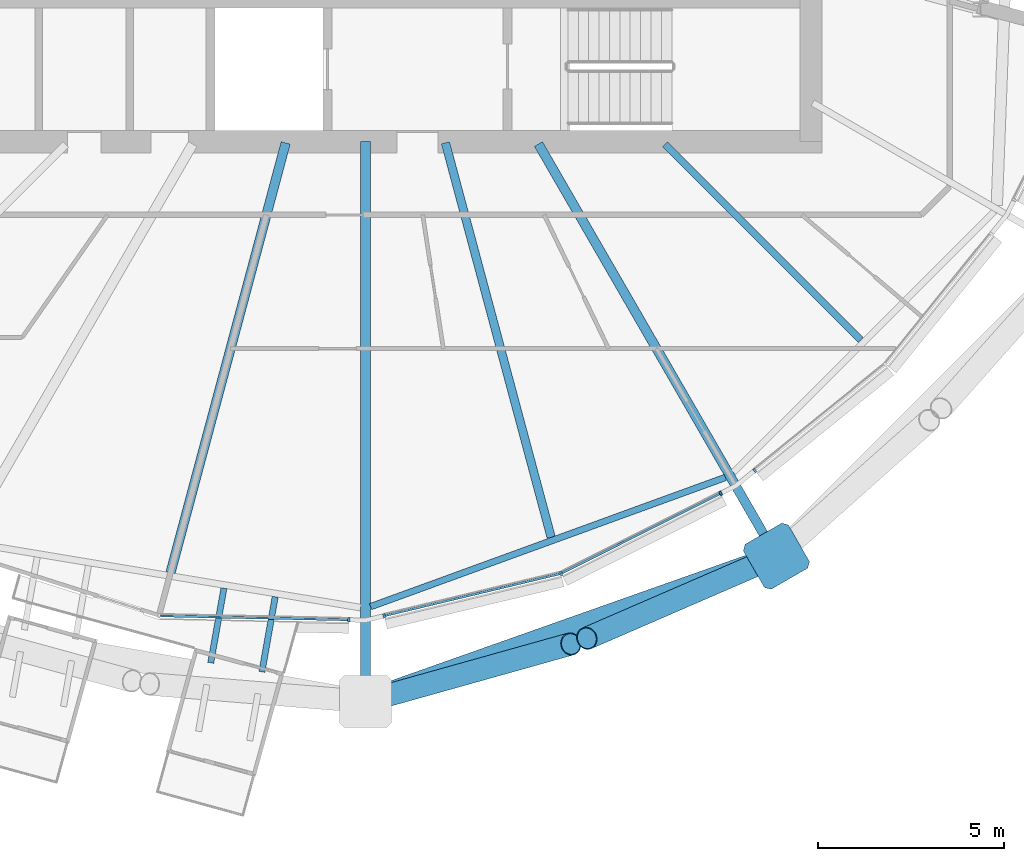
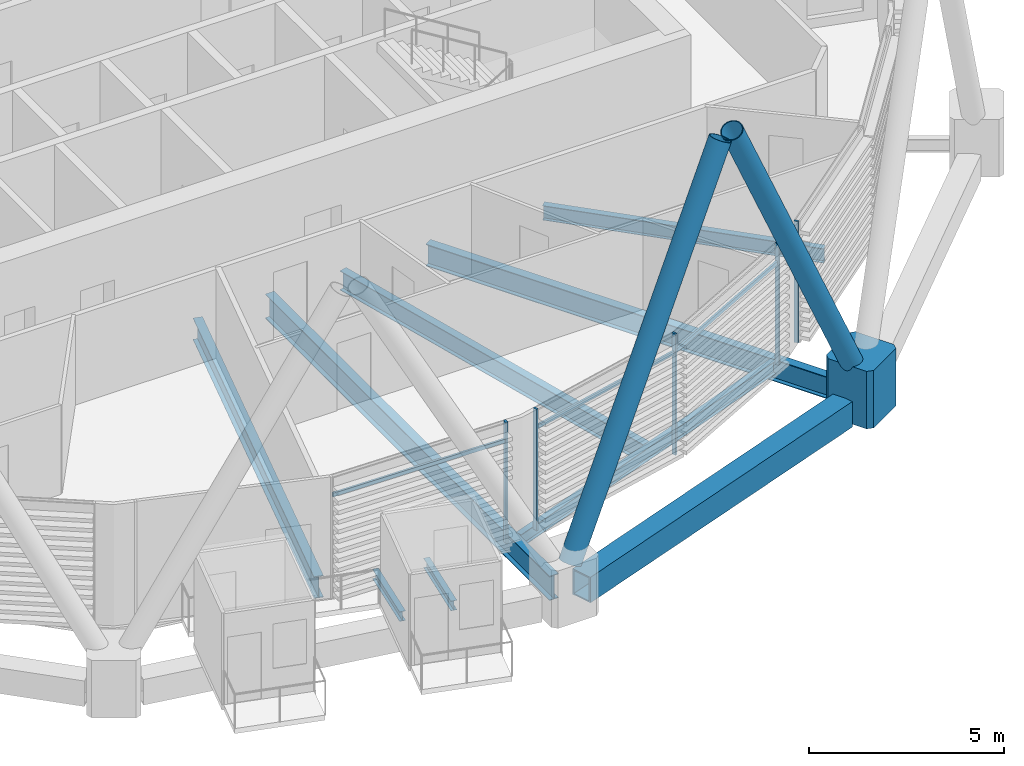
# One storey, part 14 of 37: 11 members, 9 beams, 1 element without a shape of its own.
"""IFC4 building model written with IfcOpenShell, lengths in metres."""

from ifc_helpers import new_model, si_unit, direction, frame, origin, origin_2d, place, context, subcontext, project, spatial, polyline, rectangle, hollow_rectangle, hollow_circle, i_section, outline, extrude, material, material_profile, profile_set, type_object, element, aggregate, save


model = new_model("IFC4")

# Units and contexts
model_context = context("Model", 3, precision=1e-05, world=origin(), true_north=direction((0.0, 1.0)))
body_context = subcontext(model_context, "Body", "Model", "MODEL_VIEW")
ifc_project = project(units=[si_unit("LENGTHUNIT", "METRE"), si_unit("AREAUNIT", "SQUARE_METRE"), si_unit("VOLUMEUNIT", "CUBIC_METRE"), si_unit("PLANEANGLEUNIT", "RADIAN"), si_unit("MASSUNIT", "GRAM", prefix="KILO")], contexts=[model_context])

# Site, building, storey
site_placement = place(None, origin())
site = spatial("IfcSite", under=ifc_project, at=site_placement, CompositionType="ELEMENT")
building_placement = place(site_placement, origin())
building = spatial("IfcBuilding", under=site, at=building_placement, Name="Rimbun Link Towers", CompositionType="ELEMENT")
storey_placement = place(building_placement, frame((0.0, 0.0, 170.300048828125)))
storey = spatial("IfcBuildingStorey", under=building, at=storey_placement, Name="L41", CompositionType="ELEMENT", Elevation=170.300048828125)

# Curtain wall, members
ifc_material_1 = material(Name="Aluminium 6063-T6 and low-iron glass", Category="aluminium")
curtain_wall_type = type_object("IfcCurtainWallType", Name="CW1-Z3 unitised vision wall (zone 3)", PredefinedType="NOTDEFINED", material=ifc_material_1)
curtain_wall_placement = place(storey_placement, origin())
curtain_wall = element("IfcCurtainWall", 1, at=curtain_wall_placement, inside=storey, type_object=curtain_wall_type, Name="CW1 L41 T2", PredefinedType="NOTDEFINED")
ifc_material_2 = material(Name="Aluminium 6063-T6", Category="aluminium")
ifc_material_profile_1 = material_profile(ifc_material_2, rectangle(XDim=0.1201171875, YDim=0.06005859375, at=origin_2d()), Name="MULLION 60X120")
ifc_profile_set_1 = profile_set([ifc_material_profile_1], Name="Aluminium 6063-T6")
member_type_1 = type_object("IfcMemberType", Name="CW1 mullion 60X120", PredefinedType="MULLION", material=ifc_profile_set_1)
member_1_placement = place(storey_placement, frame((31.298828125, -20.883544921875, 0.0), z_axis=(0.0, 0.0, 1.0), x_axis=(-0.021054979477, -0.999778319348, 0.0)))
member_1 = element("IfcMember", 2, at=member_1_placement, type_object=member_type_1, Name="CW1 mullion", PredefinedType="MULLION", context=body_context, shape_type="SweptSolid", body=[
    extrude(rectangle(XDim=0.1201171875, YDim=0.06005859375, at=origin_2d()), origin(), (0.0, 0.0, 1.0), 3.800048828125),
])
member_2_placement = place(storey_placement, frame((37.0166015625, -19.634765625, 0.0), z_axis=(0.0, 0.0, 1.0), x_axis=(0.342962048977, -0.939349260372, 0.0)))
member_2 = element("IfcMember", 3, at=member_2_placement, type_object=member_type_1, Name="CW1 mullion", PredefinedType="MULLION", context=body_context, shape_type="SweptSolid", body=[
    extrude(rectangle(XDim=0.1201171875, YDim=0.06005859375, at=origin_2d()), origin(), (0.0, 0.0, 1.0), 3.800048828125),
])
member_3_placement = place(storey_placement, frame((32.250244140625, -20.775146484375, 0.0), z_axis=(0.0, 0.0, 1.0), x_axis=(0.232594562001, -0.972573786264, 0.0)))
member_3 = element("IfcMember", 4, at=member_3_placement, type_object=member_type_1, Name="CW1 mullion", PredefinedType="MULLION", context=body_context, shape_type="SweptSolid", body=[
    extrude(rectangle(XDim=0.1201171875, YDim=0.06005859375, at=origin_2d()), origin(), (0.0, 0.0, 1.0), 3.800048828125),
])
member_4_placement = place(storey_placement, frame((41.31689453125, -17.475830078125, 0.0), z_axis=(0.0, 0.0, 1.0), x_axis=(0.44877333613, -0.893645619235, 0.0)))
member_4 = element("IfcMember", 5, at=member_4_placement, type_object=member_type_1, Name="CW1 mullion", PredefinedType="MULLION", context=body_context, shape_type="SweptSolid", body=[
    extrude(rectangle(XDim=0.1201171875, YDim=0.06005859375, at=origin_2d()), origin(), (0.0, 0.0, 1.0), 3.800048828125),
])
member_5_placement = place(storey_placement, frame((42.235107421875, -16.85791015625, 0.0), z_axis=(0.0, 0.0, 1.0), x_axis=(0.629157646962, -0.777277720811, 0.0)))
member_5 = element("IfcMember", 6, at=member_5_placement, type_object=member_type_1, Name="CW1 mullion", PredefinedType="MULLION", context=body_context, shape_type="SweptSolid", body=[
    extrude(rectangle(XDim=0.1201171875, YDim=0.06005859375, at=origin_2d()), origin(), (0.0, 0.0, 1.0), 3.800048828125),
])
ifc_material_3 = material(Name="Aluminium 6063-T6", Category="aluminium")
ifc_material_profile_2 = material_profile(ifc_material_3, rectangle(XDim=0.06005859375, YDim=0.1201171875, at=origin_2d()), Name="TRANSOM 60X120")
ifc_profile_set_2 = profile_set([ifc_material_profile_2], Name="Aluminium 6063-T6")
member_type_2 = type_object("IfcMemberType", Name="CW1 transom 60X120", PredefinedType="USERDEFINED", material=ifc_profile_set_2)
member_6_placement = place(storey_placement, frame((31.268798828125, -20.880859375, 3.199951171875), z_axis=(-0.999779174305, 0.021014343358, 0.0), x_axis=(-0.021014343358, -0.999779174305, 0.0)))
member_6 = element("IfcMember", 7, at=member_6_placement, type_object=member_type_2, Name="CW1 transom", ObjectType="TRANSOM", PredefinedType="USERDEFINED", context=body_context, shape_type="SweptSolid", body=[
    extrude(rectangle(XDim=0.06005859375, YDim=0.1201171875, at=origin_2d()), origin(), (0.0, 0.0, 1.0), 5.042236328125),
])
member_7_placement = place(storey_placement, frame((36.980224609375, -19.641845703125, 3.199951171875), z_axis=(-0.972575414488, -0.23258775362, 0.0), x_axis=(0.23258775362, -0.972575414488, 0.0)))
member_7 = element("IfcMember", 8, at=member_7_placement, type_object=member_type_2, Name="CW1 transom", ObjectType="TRANSOM", PredefinedType="USERDEFINED", context=body_context, shape_type="SweptSolid", body=[
    extrude(rectangle(XDim=0.06005859375, YDim=0.1201171875, at=origin_2d()), origin(), (0.0, 0.0, 1.0), 4.833740234375),
])
member_8_placement = place(storey_placement, frame((41.2890625, -17.487548828125, 3.199951171875), z_axis=(-0.893643730641, -0.448777096882, 0.0), x_axis=(0.448777096882, -0.893643730641, 0.0)))
member_8 = element("IfcMember", 9, at=member_8_placement, type_object=member_type_2, Name="CW1 transom", ObjectType="TRANSOM", PredefinedType="USERDEFINED", context=body_context, shape_type="SweptSolid", body=[
    extrude(rectangle(XDim=0.06005859375, YDim=0.1201171875, at=origin_2d()), origin(), (0.0, 0.0, 1.0), 4.744873046875),
])
aggregate(curtain_wall, [member_1, member_2, member_3, member_4, member_5, member_6, member_7, member_8])

# Beams
ifc_material_4 = material(Name="Steel S355J2", Category="steel")
ifc_material_profile_3 = material_profile(ifc_material_4, i_section(OverallWidth=0.1650390625, OverallDepth=0.303466796875, WebThickness=0.006103515625, FlangeThickness=0.01025390625, at=origin_2d()), Name="UB 305x165x40")
ifc_profile_set_3 = profile_set([ifc_material_profile_3], Name="Steel S355J2")
beam_type_1 = type_object("IfcBeamType", Name="Capsule bracket beam UB 305x165x40", PredefinedType="BEAM", material=ifc_profile_set_3)
beam_1_placement = place(storey_placement, frame((29.315185546875, -20.260986328125, -0.311767578125), z_axis=(-0.174334431279, -0.984686501416, 0.0), x_axis=(0.984686501416, -0.174334431279, 0.0)))
element("IfcBeam", 10, at=beam_1_placement, inside=storey, type_object=beam_type_1, Name="Capsule D412.01 bracket beam 1", PredefinedType="BEAM", context=body_context, shape_type="SweptSolid", body=[
    extrude(i_section(OverallWidth=0.1650390625, OverallDepth=0.303466796875, WebThickness=0.006103515625, FlangeThickness=0.01025390625, at=origin_2d()), origin(), (0.0, 0.0, 1.0), 2.054443359375),
])
beam_2_placement = place(storey_placement, frame((27.93408203125, -20.03125, -0.311767578125), z_axis=(-0.17436560411, -0.984680981894, 0.0), x_axis=(0.984680981894, -0.17436560411, 0.0)))
element("IfcBeam", 11, at=beam_2_placement, inside=storey, type_object=beam_type_1, Name="Capsule D412.01 bracket beam 3", PredefinedType="BEAM", context=body_context, shape_type="SweptSolid", body=[
    extrude(i_section(OverallWidth=0.1650390625, OverallDepth=0.303466796875, WebThickness=0.006103515625, FlangeThickness=0.01025390625, at=origin_2d()), origin(), (0.0, 0.0, 1.0), 2.0400390625),
])

# Members
ifc_material_5 = material(Name="Steel S355J2H", Category="steel")
ifc_material_profile_4 = material_profile(ifc_material_5, hollow_circle(Radius=0.3046875, WallThickness=0.02490234375, at=origin_2d()), Name="Diagrid diagonal CHS 610x25")
ifc_profile_set_4 = profile_set([ifc_material_profile_4], Name="Steel S355J2H")
member_type_3 = type_object("IfcMemberType", Name="Diagrid diagonal CHS 610x25", PredefinedType="BRACE", material=ifc_profile_set_4)
member_9_placement = place(storey_placement, frame((31.973388671875, -23.0205078125, 0.44287109375), z_axis=(0.446994714804, 0.125271225171, 0.885721652147), x_axis=(-0.269855052953, 0.962900955652, 0.0)))
element("IfcMember", 12, at=member_9_placement, inside=storey, type_object=member_type_3, Name="Diagrid diagonal T2 L41-L44 15b", PredefinedType="BRACE", context=body_context, shape_type="SweptSolid", body=[
    extrude(hollow_circle(Radius=0.3046875, WallThickness=0.02490234375, at=origin_2d()), origin(), (0.0, 0.0, 1.0), 11.87060546875),
])
member_10_placement = place(storey_placement, frame((42.609375, -19.2587890625, 0.44580078125), z_axis=(-0.415596283238, -0.180042010262, 0.891551795411), x_axis=(0.397515027552, -0.917595664152, 0.0)))
element("IfcMember", 13, at=member_10_placement, inside=storey, type_object=member_type_3, Name="Diagrid diagonal T2 L41-L44 17a", PredefinedType="BRACE", context=body_context, shape_type="SweptSolid", body=[
    extrude(hollow_circle(Radius=0.3046875, WallThickness=0.02490234375, at=origin_2d()), origin(), (0.0, 0.0, 1.0), 11.78662109375),
])
ifc_material_6 = material(Name="Cast steel G20Mn5+QT, Rp0.2 300 MPa", Category="steel")
ifc_material_profile_5 = material_profile(ifc_material_6, outline(polyline([(0.699951171875, -0.570068359375), (0.699951171875, 0.570068359375), (0.570068359375, 0.699951171875), (-0.570068359375, 0.699951171875), (-0.699951171875, 0.570068359375), (-0.699951171875, -0.570068359375), (-0.570068359375, -0.699951171875), (0.570068359375, -0.699951171875), (0.699951171875, -0.570068359375)])), Name="NODE 1400x1400")
ifc_profile_set_5 = profile_set([ifc_material_profile_5], Name="Cast steel G20Mn5+QT, Rp0.2 300 MPa")
member_type_4 = type_object("IfcMemberType", Name="Diagrid node cast 1400", PredefinedType="USERDEFINED", material=ifc_profile_set_5)
member_11_placement = place(storey_placement, frame((42.817138671875, -19.168701171875, -0.900146484375), z_axis=(0.0, 0.0, 1.0), x_axis=(0.5, -0.866025403784, 0.0)))
element("IfcMember", 14, at=member_11_placement, inside=storey, type_object=member_type_4, Name="Diagrid node L41 17", ObjectType="Diagrid node", PredefinedType="USERDEFINED", context=body_context, shape_type="SweptSolid", body=[
    extrude(outline(polyline([(0.699951171875, -0.570068359375), (0.699951171875, 0.570068359375), (0.570068359375, 0.699951171875), (-0.570068359375, 0.699951171875), (-0.699951171875, 0.570068359375), (-0.699951171875, -0.570068359375), (-0.570068359375, -0.699951171875), (0.570068359375, -0.699951171875), (0.699951171875, -0.570068359375)])), origin(), (0.0, 0.0, 1.0), 1.800048828125),
])

# Beams
ifc_material_7 = material(Name="Steel S355J2", Category="steel")
ifc_material_profile_6 = material_profile(ifc_material_7, hollow_rectangle(XDim=0.60009765625, YDim=0.800048828125, WallThickness=0.0400390625, at=origin_2d()), Name="Exoskeleton ring girder BOX 600x800x40")
ifc_profile_set_6 = profile_set([ifc_material_profile_6], Name="Steel S355J2")
beam_type_2 = type_object("IfcBeamType", Name="Exoskeleton ring girder BOX 600x800x40", PredefinedType="BEAM", material=ifc_profile_set_6)
beam_3_placement = place(storey_placement, frame((32.409912109375, -22.849609375, -0.56005859375), z_axis=(0.942769103259, 0.333446274443, 0.0), x_axis=(-0.333446274443, 0.942769103259, 0.0)))
element("IfcBeam", 15, at=beam_3_placement, inside=storey, type_object=beam_type_2, Name="Exoskeleton ring girder L41 07", PredefinedType="BEAM", context=body_context, shape_type="SweptSolid", body=[
    extrude(hollow_rectangle(XDim=0.60009765625, YDim=0.800048828125, WallThickness=0.0400390625, at=origin_2d()), origin(), (0.0, 0.0, 1.0), 10.339111328125),
])
ifc_material_8 = material(Name="Steel S355J2", Category="steel")
ifc_material_profile_7 = material_profile(ifc_material_8, i_section(OverallWidth=0.177978515625, OverallDepth=0.406494140625, WebThickness=0.0078125, FlangeThickness=0.0126953125, at=origin_2d()), Name="UB 406x178x60")
ifc_profile_set_7 = profile_set([ifc_material_profile_7], Name="Steel S355J2")
beam_type_3 = type_object("IfcBeamType", Name="UB 406x178x60", PredefinedType="BEAM", material=ifc_profile_set_7)
beam_4_placement = place(storey_placement, frame((31.88427734375, -20.527099609375, -0.353271484375), z_axis=(0.939617435034, 0.342226643877, 0.0), x_axis=(-0.342226643877, 0.939617435034, 0.0)))
element("IfcBeam", 16, at=beam_4_placement, inside=storey, type_object=beam_type_3, Name="Edge beam T2 L41 15-17", PredefinedType="BEAM", context=body_context, shape_type="SweptSolid", body=[
    extrude(i_section(OverallWidth=0.177978515625, OverallDepth=0.406494140625, WebThickness=0.0078125, FlangeThickness=0.0126953125, at=origin_2d()), origin(), (0.0, 0.0, 1.0), 10.173583984375),
])
ifc_material_9 = material(Name="Steel S355J2", Category="steel")
ifc_material_profile_8 = material_profile(ifc_material_9, i_section(OverallWidth=0.18994140625, OverallDepth=0.453369140625, WebThickness=0.008544921875, FlangeThickness=0.0126953125, at=origin_2d()), Name="UB 457x191x67")
ifc_profile_set_8 = profile_set([ifc_material_profile_8], Name="Steel S355J2")
beam_type_4 = type_object("IfcBeamType", Name="UB 457x191x67", PredefinedType="BEAM", material=ifc_profile_set_8)
beam_5_placement = place(storey_placement, frame((39.81787109375, -8.06787109375, -0.376708984375), z_axis=(0.707106781187, -0.707106781187, 0.0), x_axis=(0.707106781187, 0.707106781187, 0.0)))
element("IfcBeam", 17, at=beam_5_placement, inside=storey, type_object=beam_type_4, Name="Radial beam T2 L41 18", PredefinedType="BEAM", context=body_context, shape_type="SweptSolid", body=[
    extrude(i_section(OverallWidth=0.18994140625, OverallDepth=0.453369140625, WebThickness=0.008544921875, FlangeThickness=0.0126953125, at=origin_2d()), origin(), (0.0, 0.0, 1.0), 7.462646484375),
])
ifc_material_10 = material(Name="Steel S355J2", Category="steel")
ifc_material_profile_9 = material_profile(ifc_material_10, i_section(OverallWidth=0.2275390625, OverallDepth=0.6025390625, WebThickness=0.010498046875, FlangeThickness=0.014892578125, at=origin_2d()), Name="UB 610x229x101")
ifc_profile_set_9 = profile_set([ifc_material_profile_9], Name="Steel S355J2")
beam_type_5 = type_object("IfcBeamType", Name="UB 610x229x101", PredefinedType="BEAM", material=ifc_profile_set_9)
beam_6_placement = place(storey_placement, frame((33.901611328125, -8.030517578125, -0.451416015625), z_axis=(0.258836266354, -0.965921211704, 0.0), x_axis=(0.965921211704, 0.258836266354, 0.0)))
element("IfcBeam", 18, at=beam_6_placement, inside=storey, type_object=beam_type_5, Name="Radial beam T2 L41 16", PredefinedType="BEAM", context=body_context, shape_type="SweptSolid", body=[
    extrude(i_section(OverallWidth=0.2275390625, OverallDepth=0.6025390625, WebThickness=0.010498046875, FlangeThickness=0.014892578125, at=origin_2d()), origin(), (0.0, 0.0, 1.0), 11.003662109375),
])
ifc_material_11 = material(Name="Steel S355J2", Category="steel")
ifc_material_profile_10 = material_profile(ifc_material_11, i_section(OverallWidth=0.253662109375, OverallDepth=0.68359375, WebThickness=0.012451171875, FlangeThickness=0.01904296875, at=origin_2d()), Name="UB 686x254x140")
ifc_profile_set_10 = profile_set([ifc_material_profile_10], Name="Steel S355J2")
beam_type_6 = type_object("IfcBeamType", Name="UB 686x254x140", PredefinedType="BEAM", material=ifc_profile_set_10)
beam_7_placement = place(storey_placement, frame((29.597412109375, -8.03369140625, -0.49169921875), z_axis=(-0.25882636602, -0.965923864625, 0.0), x_axis=(0.965923864625, -0.25882636602, 0.0)))
element("IfcBeam", 19, at=beam_7_placement, inside=storey, type_object=beam_type_6, Name="Radial beam T2 L41 14", PredefinedType="BEAM", context=body_context, shape_type="SweptSolid", body=[
    extrude(i_section(OverallWidth=0.253662109375, OverallDepth=0.68359375, WebThickness=0.012451171875, FlangeThickness=0.01904296875, at=origin_2d()), origin(), (0.0, 0.0, 1.0), 11.985107421875),
])
beam_8_placement = place(storey_placement, frame((36.406005859375, -8.064208984375, -0.49169921875), z_axis=(0.499991714086, -0.866030187606, 0.0), x_axis=(0.866030187606, 0.499991714086, 0.0)))
element("IfcBeam", 20, at=beam_8_placement, inside=storey, type_object=beam_type_6, Name="Radial beam T2 L41 17", PredefinedType="BEAM", context=body_context, shape_type="SweptSolid", body=[
    extrude(i_section(OverallWidth=0.253662109375, OverallDepth=0.68359375, WebThickness=0.012451171875, FlangeThickness=0.01904296875, at=origin_2d()), origin(), (0.0, 0.0, 1.0), 12.322509765625),
])
ifc_material_12 = material(Name="Steel S355J2", Category="steel")
ifc_material_profile_11 = material_profile(ifc_material_12, i_section(OverallWidth=0.2666015625, OverallDepth=0.76220703125, WebThickness=0.014404296875, FlangeThickness=0.021484375, at=origin_2d()), Name="UB 762x267x173")
ifc_profile_set_11 = profile_set([ifc_material_profile_11], Name="Steel S355J2")
beam_type_7 = type_object("IfcBeamType", Name="UB 762x267x173", PredefinedType="BEAM", material=ifc_profile_set_11)
beam_9_placement = place(storey_placement, frame((31.75, -8.0009765625, -0.53125), z_axis=(0.0, -1.0, 0.0), x_axis=(1.0, 0.0, 0.0)))
element("IfcBeam", 21, at=beam_9_placement, inside=storey, type_object=beam_type_7, Name="Radial beam T2 L41 15", PredefinedType="BEAM", context=body_context, shape_type="SweptSolid", body=[
    extrude(i_section(OverallWidth=0.2666015625, OverallDepth=0.76220703125, WebThickness=0.014404296875, FlangeThickness=0.021484375, at=origin_2d()), origin(), (0.0, 0.0, 1.0), 14.58203125),
])

save(model, "model.ifc")
